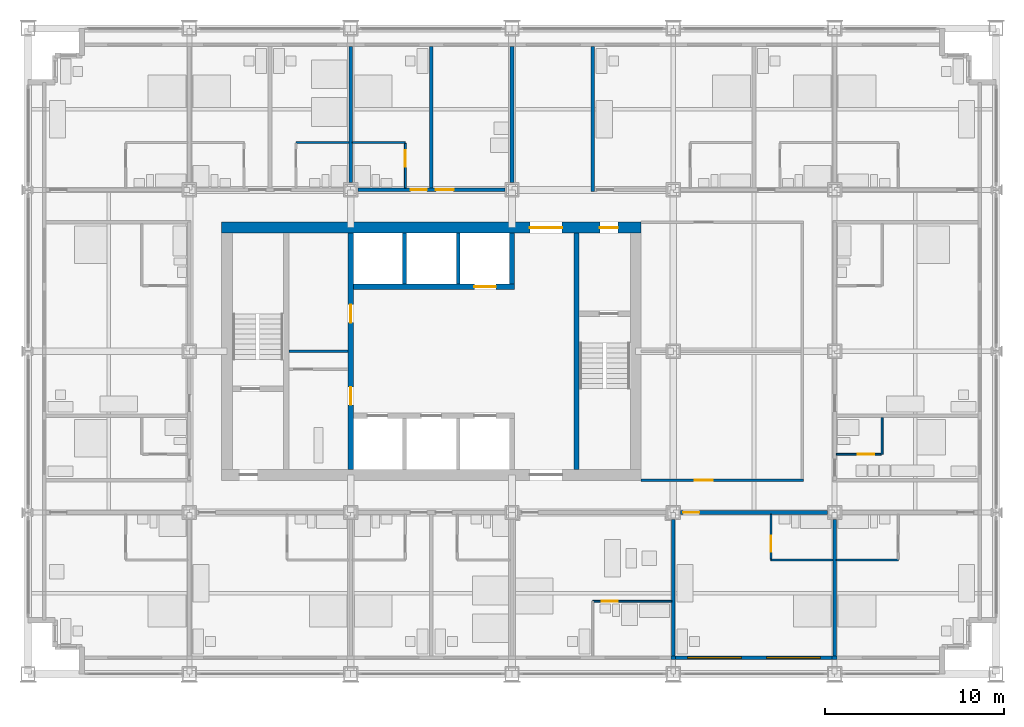
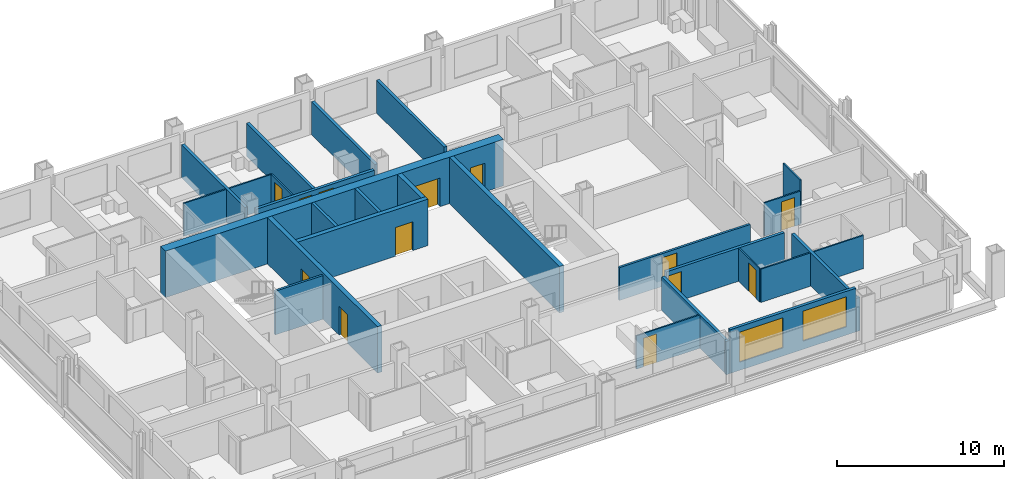
# One storey, part 12 of 18: 29 walls, 13 doors, 2 windows, 15 openings.
"""IFC4 building model written with IfcOpenShell, lengths in metres."""

from ifc_helpers import new_model, si_unit, direction, frame, frame_2d, origin, place, context, subcontext, project, spatial, rectangle, extrude, material, layer, layer_set, type_object, element, fill, save


model = new_model("IFC4")

# Units and contexts
model_context = context("Model", 3, precision=1e-05, world=origin(), true_north=direction((0.0, 1.0)))
body_context = subcontext(model_context, "Body", "Model", "MODEL_VIEW")
ifc_project = project(units=[si_unit("LENGTHUNIT", "METRE"), si_unit("AREAUNIT", "SQUARE_METRE"), si_unit("VOLUMEUNIT", "CUBIC_METRE"), si_unit("PLANEANGLEUNIT", "RADIAN"), si_unit("MASSUNIT", "GRAM", prefix="KILO")], contexts=[model_context])

# Site, building, storey
site_placement = place(None, origin())
site = spatial("IfcSite", under=ifc_project, at=site_placement, CompositionType="ELEMENT")
building_placement = place(site_placement, origin())
building = spatial("IfcBuilding", under=site, at=building_placement, Name="Loomwork Tower", CompositionType="ELEMENT")
storey_placement = place(building_placement, frame((0.0, 0.0, 68.800048828125)))
storey = spatial("IfcBuildingStorey", under=building, at=storey_placement, Name="L17", CompositionType="ELEMENT", Elevation=68.800048828125)

# Wall, openings, doors
ifc_material_1 = material(Name="Concrete 14000 psi (97 MPa)", Category="concrete")
ifc_layer_1 = layer(ifc_material_1, 0.300048828125)
ifc_layer_set_1 = layer_set([ifc_layer_1], Name="Core shear wall 300")
wall_type_1 = type_object("IfcWallType", Name="Core shear wall 300", PredefinedType="SHEAR", material=ifc_layer_set_1)
wall_1_placement = place(storey_placement, frame((18.0, 11.39990234375, 0.0), z_axis=(0.0, 0.0, 1.0), x_axis=(0.0, 1.0, 0.0)))
wall_1 = element("IfcWall", 1, at=wall_1_placement, inside=storey, type_object=wall_type_1, Name="Lobby west wall L17", PredefinedType="SHEAR", context=body_context, shape_type="SweptSolid", body=[
    extrude(rectangle(XDim=13.2001953125, YDim=0.300048828125, at=frame_2d((6.60009765625, 0.0))), origin(), (0.0, 0.0, 1.0), 3.39990234375),
])
opening_1_placement = place(wall_1_placement, frame((3.60009765625, 0.0, 0.0)))
opening_1 = element("IfcOpeningElement", 2, at=opening_1_placement, cuts=wall_1, Name="Opening D5", PredefinedType="OPENING", context=body_context, shape_type="SweptSolid", body=[
    extrude(rectangle(XDim=1.0, YDim=2.10009765625, at=frame_2d((0.5, 1.050048828125))), frame((0.0, 0.159912109375, 0.0), z_axis=(0.0, -1.0, 0.0), x_axis=(1.0, 0.0, 0.0)), (0.0, 0.0, 1.0), 0.320068359375),
])
opening_2_placement = place(wall_1_placement, frame((8.199951171875, 0.0, 0.0)))
opening_2 = element("IfcOpeningElement", 3, at=opening_2_placement, cuts=wall_1, Name="Opening D5", PredefinedType="OPENING", context=body_context, shape_type="SweptSolid", body=[
    extrude(rectangle(XDim=1.0, YDim=2.10009765625, at=frame_2d((0.5, 1.050048828125))), frame((0.0, 0.159912109375, 0.0), z_axis=(0.0, -1.0, 0.0), x_axis=(1.0, 0.0, 0.0)), (0.0, 0.0, 1.0), 0.320068359375),
])
ifc_material_2 = material(Name="Hollow metal door and frame")
door_type_1 = type_object("IfcDoorType", Name="Service door 1000", OperationType="SINGLE_SWING_LEFT", PredefinedType="DOOR", material=ifc_material_2)
door_1_placement = place(opening_1_placement, origin())
door_1 = element("IfcDoor", 4, at=door_1_placement, inside=storey, type_object=door_type_1, Name="Back-of-house door south", OperationType="SINGLE_SWING_LEFT", OverallHeight=2.10009765625, OverallWidth=1.0, PredefinedType="DOOR", context=body_context, shape_type="SweptSolid", body=[
    extrude(rectangle(XDim=1.0, YDim=2.10009765625, at=frame_2d((0.5, 1.050048828125))), frame((0.0, 0.02490234375, 0.0), z_axis=(0.0, -1.0, 0.0), x_axis=(1.0, 0.0, 0.0)), (0.0, 0.0, 1.0), 0.050048828125),
])
fill(opening_1, door_1)
door_2_placement = place(opening_2_placement, origin())
door_2 = element("IfcDoor", 5, at=door_2_placement, inside=storey, type_object=door_type_1, Name="Back-of-house door north", OperationType="SINGLE_SWING_RIGHT", OverallHeight=2.10009765625, OverallWidth=1.0, PredefinedType="DOOR", context=body_context, shape_type="SweptSolid", body=[
    extrude(rectangle(XDim=1.0, YDim=2.10009765625, at=frame_2d((0.5, 1.050048828125))), frame((0.0, 0.02490234375, 0.0), z_axis=(0.0, -1.0, 0.0), x_axis=(1.0, 0.0, 0.0)), (0.0, 0.0, 1.0), 0.050048828125),
])
fill(opening_2, door_2)

# Wall, opening, door
wall_2_placement = place(storey_placement, frame((18.14990234375, 21.60009765625, 0.0), z_axis=(0.0, 0.0, 1.0), x_axis=(1.0, 0.0, 0.0)))
wall_2 = element("IfcWall", 6, at=wall_2_placement, inside=storey, type_object=wall_type_1, Name="Lift front wall north L17", PredefinedType="SHEAR", context=body_context, shape_type="SweptSolid", body=[
    extrude(rectangle(XDim=9.0, YDim=0.300048828125, at=frame_2d((4.5, 0.0))), origin(), (0.0, 0.0, 1.0), 3.39990234375),
])
opening_3_placement = place(wall_2_placement, frame((6.75, 0.0, 0.0)))
opening_3 = element("IfcOpeningElement", 7, at=opening_3_placement, cuts=wall_2, Name="Opening LD2", PredefinedType="OPENING", context=body_context, shape_type="SweptSolid", body=[
    extrude(rectangle(XDim=1.199951171875, YDim=2.10009765625, at=frame_2d((0.60009765625, 1.050048828125))), frame((0.0, 0.159912109375, 0.0), z_axis=(0.0, -1.0, 0.0), x_axis=(1.0, 0.0, 0.0)), (0.0, 0.0, 1.0), 0.320068359375),
])
ifc_material_3 = material(Name="Hollow metal door and frame")
door_type_2 = type_object("IfcDoorType", Name="Lift landing door 1200", OperationType="SLIDING_TO_LEFT", PredefinedType="DOOR", material=ifc_material_3)
door_3_placement = place(opening_3_placement, origin())
door_3 = element("IfcDoor", 8, at=door_3_placement, inside=storey, type_object=door_type_2, Name="Lift landing door LF2", OperationType="SLIDING_TO_LEFT", OverallHeight=2.10009765625, OverallWidth=1.199951171875, PredefinedType="DOOR", context=body_context, shape_type="SweptSolid", body=[
    extrude(rectangle(XDim=1.199951171875, YDim=2.10009765625, at=frame_2d((0.60009765625, 1.050048828125))), frame((0.0, 0.02490234375, 0.0), z_axis=(0.0, -1.0, 0.0), x_axis=(1.0, 0.0, 0.0)), (0.0, 0.0, 1.0), 0.050048828125),
])
fill(opening_3, door_3)

# Walls
wall_3_placement = place(storey_placement, frame((27.0, 21.75, 0.0), z_axis=(0.0, 0.0, 1.0), x_axis=(0.0, 1.0, 0.0)))
element("IfcWall", 9, at=wall_3_placement, inside=storey, type_object=wall_type_1, Name="Lift shaft end wall north L17", PredefinedType="SHEAR", context=body_context, shape_type="SweptSolid", body=[
    extrude(rectangle(XDim=2.85009765625, YDim=0.300048828125, at=frame_2d((1.425048828125, 0.0))), origin(), (0.0, 0.0, 1.0), 3.39990234375),
])
wall_4_placement = place(storey_placement, frame((30.60009765625, 11.39990234375, 0.0), z_axis=(0.0, 0.0, 1.0), x_axis=(0.0, 1.0, 0.0)))
element("IfcWall", 10, at=wall_4_placement, inside=storey, type_object=wall_type_1, Name="Stair B west wall L17", PredefinedType="SHEAR", context=body_context, shape_type="SweptSolid", body=[
    extrude(rectangle(XDim=13.2001953125, YDim=0.300048828125, at=frame_2d((6.60009765625, 0.0))), origin(), (0.0, 0.0, 1.0), 3.39990234375),
])

# Wall, openings, doors
ifc_material_4 = material(Name="Concrete 14000 psi (97 MPa)", Category="concrete")
ifc_layer_2 = layer(ifc_material_4, 0.60009765625)
ifc_layer_set_2 = layer_set([ifc_layer_2], Name="Core shear wall 600")
wall_type_2 = type_object("IfcWallType", Name="Core shear wall 600", PredefinedType="SHEAR", material=ifc_layer_set_2)
wall_5_placement = place(storey_placement, frame((10.800048828125, 24.89990234375, 0.0), z_axis=(0.0, 0.0, 1.0), x_axis=(1.0, 0.0, 0.0)))
wall_5 = element("IfcWall", 11, at=wall_5_placement, inside=storey, type_object=wall_type_2, Name="Core wall north L17", PredefinedType="SHEAR", context=body_context, shape_type="SweptSolid", body=[
    extrude(rectangle(XDim=23.39990234375, YDim=0.60009765625, at=frame_2d((11.699951171875, 0.0))), origin(), (0.0, 0.0, 1.0), 3.39990234375),
])
opening_4_placement = place(wall_5_placement, frame((17.199951171875, 0.0, 0.0)))
opening_4 = element("IfcOpeningElement", 12, at=opening_4_placement, cuts=wall_5, Name="Opening D6", PredefinedType="OPENING", context=body_context, shape_type="SweptSolid", body=[
    extrude(rectangle(XDim=1.800048828125, YDim=2.10009765625, at=frame_2d((0.89990234375, 1.050048828125))), frame((0.0, 0.31005859375, 0.0), z_axis=(0.0, -1.0, 0.0), x_axis=(1.0, 0.0, 0.0)), (0.0, 0.0, 1.0), 0.6201171875),
])
opening_5_placement = place(wall_5_placement, frame((21.10009765625, 0.0, 0.0)))
opening_5 = element("IfcOpeningElement", 13, at=opening_5_placement, cuts=wall_5, Name="Opening D4", PredefinedType="OPENING", context=body_context, shape_type="SweptSolid", body=[
    extrude(rectangle(XDim=1.0, YDim=2.10009765625, at=frame_2d((0.5, 1.050048828125))), frame((0.0, 0.31005859375, 0.0), z_axis=(0.0, -1.0, 0.0), x_axis=(1.0, 0.0, 0.0)), (0.0, 0.0, 1.0), 0.6201171875),
])
ifc_material_5 = material(Name="Hollow metal door and frame")
door_type_3 = type_object("IfcDoorType", Name="Lobby passage double door 1800", OperationType="DOUBLE_DOOR_SINGLE_SWING", PredefinedType="DOOR", material=ifc_material_5)
door_4_placement = place(opening_4_placement, frame((1.800048828125, 0.0, 0.0), z_axis=(0.0, 0.0, 1.0), x_axis=(-1.0, 0.0, 0.0)))
door_4 = element("IfcDoor", 14, at=door_4_placement, inside=storey, type_object=door_type_3, Name="Lobby passage door north", OperationType="DOUBLE_DOOR_SINGLE_SWING", OverallHeight=2.10009765625, OverallWidth=1.800048828125, PredefinedType="DOOR", context=body_context, shape_type="SweptSolid", body=[
    extrude(rectangle(XDim=1.800048828125, YDim=2.10009765625, at=frame_2d((0.89990234375, 1.050048828125))), frame((0.0, 0.02490234375, 0.0), z_axis=(0.0, -1.0, 0.0), x_axis=(1.0, 0.0, 0.0)), (0.0, 0.0, 1.0), 0.050048828125),
])
fill(opening_4, door_4)
ifc_material_6 = material(Name="Hollow metal door and frame")
door_type_4 = type_object("IfcDoorType", Name="Stair door 1000", OperationType="SINGLE_SWING_RIGHT", PredefinedType="DOOR", material=ifc_material_6)
door_5_placement = place(opening_5_placement, frame((1.0, 0.0, 0.0), z_axis=(0.0, 0.0, 1.0), x_axis=(-1.0, 0.0, 0.0)))
door_5 = element("IfcDoor", 15, at=door_5_placement, inside=storey, type_object=door_type_4, Name="Stair B vestibule door", OperationType="SINGLE_SWING_LEFT", OverallHeight=2.10009765625, OverallWidth=1.0, PredefinedType="DOOR", context=body_context, shape_type="SweptSolid", body=[
    extrude(rectangle(XDim=1.0, YDim=2.10009765625, at=frame_2d((0.5, 1.050048828125))), frame((0.0, 0.02490234375, 0.0), z_axis=(0.0, -1.0, 0.0), x_axis=(1.0, 0.0, 0.0)), (0.0, 0.0, 1.0), 0.050048828125),
])
fill(opening_5, door_5)

# Wall, opening, door
ifc_material_7 = material(Name="Gypsum board on steel studs, one-hour", Category="steel")
ifc_layer_3 = layer(ifc_material_7, 0.199951171875)
ifc_layer_set_3 = layer_set([ifc_layer_3], Name="Corridor wall 200")
wall_type_3 = type_object("IfcWallType", Name="Corridor wall 200", PredefinedType="PARTITIONING", material=ifc_layer_set_3)
wall_6_placement = place(storey_placement, frame((36.39990234375, 9.0, 0.0), z_axis=(0.0, 0.0, 1.0), x_axis=(1.0, 0.0, 0.0)))
wall_6 = element("IfcWall", 16, at=wall_6_placement, inside=storey, type_object=wall_type_3, Name="South corridor wall 5", PredefinedType="PARTITIONING", context=body_context, shape_type="SweptSolid", body=[
    extrude(rectangle(XDim=8.2001953125, YDim=0.199951171875, at=frame_2d((4.10009765625, 0.0))), origin(), (0.0, 0.0, 1.0), 2.43798828125),
])
opening_6_placement = place(wall_6_placement, frame((0.14990234375, 0.0, 0.0)))
opening_6 = element("IfcOpeningElement", 17, at=opening_6_placement, cuts=wall_6, Name="Opening D1", PredefinedType="OPENING", context=body_context, shape_type="SweptSolid", body=[
    extrude(rectangle(XDim=0.89990234375, YDim=2.10009765625, at=frame_2d((0.449951171875, 1.050048828125))), frame((0.0, 0.10986328125, 0.0), z_axis=(0.0, -1.0, 0.0), x_axis=(1.0, 0.0, 0.0)), (0.0, 0.0, 1.0), 0.219970703125),
])
ifc_material_8 = material(Name="Hollow metal door and frame")
door_type_5 = type_object("IfcDoorType", Name="Guest room entry door 900", OperationType="SINGLE_SWING_LEFT", PredefinedType="DOOR", material=ifc_material_8)
door_6_placement = place(opening_6_placement, frame((0.89990234375, 0.0, 0.0), z_axis=(0.0, 0.0, 1.0), x_axis=(-1.0, 0.0, 0.0)))
door_6 = element("IfcDoor", 18, at=door_6_placement, inside=storey, type_object=door_type_5, Name="Guest room entry door L17 6", OperationType="SINGLE_SWING_RIGHT", OverallHeight=2.10009765625, OverallWidth=0.89990234375, PredefinedType="DOOR", context=body_context, shape_type="SweptSolid", body=[
    extrude(rectangle(XDim=0.89990234375, YDim=2.10009765625, at=frame_2d((0.449951171875, 1.050048828125))), frame((0.0, 0.02490234375, 0.0), z_axis=(0.0, -1.0, 0.0), x_axis=(1.0, 0.0, 0.0)), (0.0, 0.0, 1.0), 0.050048828125),
])
fill(opening_6, door_6)

# Wall, openings, doors
wall_7_placement = place(storey_placement, frame((18.39990234375, 27.0, 0.0), z_axis=(0.0, 0.0, 1.0), x_axis=(1.0, 0.0, 0.0)))
wall_7 = element("IfcWall", 19, at=wall_7_placement, inside=storey, type_object=wall_type_3, Name="North corridor wall 3", PredefinedType="PARTITIONING", context=body_context, shape_type="SweptSolid", body=[
    extrude(rectangle(XDim=8.2001953125, YDim=0.199951171875, at=frame_2d((4.10009765625, 0.0))), origin(), (0.0, 0.0, 1.0), 2.405029296875),
])
opening_7_placement = place(wall_7_placement, frame((2.949951171875, 0.0, 0.0)))
opening_7 = element("IfcOpeningElement", 20, at=opening_7_placement, cuts=wall_7, Name="Opening D1", PredefinedType="OPENING", context=body_context, shape_type="SweptSolid", body=[
    extrude(rectangle(XDim=0.89990234375, YDim=2.10009765625, at=frame_2d((0.449951171875, 1.050048828125))), frame((0.0, 0.10986328125, 0.0), z_axis=(0.0, -1.0, 0.0), x_axis=(1.0, 0.0, 0.0)), (0.0, 0.0, 1.0), 0.219970703125),
])
opening_8_placement = place(wall_7_placement, frame((4.35009765625, 0.0, 0.0)))
opening_8 = element("IfcOpeningElement", 21, at=opening_8_placement, cuts=wall_7, Name="Opening D15", PredefinedType="OPENING", context=body_context, shape_type="SweptSolid", body=[
    extrude(rectangle(XDim=1.0, YDim=2.10009765625, at=frame_2d((0.5, 1.050048828125))), frame((0.0, 0.10986328125, 0.0), z_axis=(0.0, -1.0, 0.0), x_axis=(1.0, 0.0, 0.0)), (0.0, 0.0, 1.0), 0.219970703125),
])
ifc_material_9 = material(Name="Hollow metal door and frame")
door_type_6 = type_object("IfcDoorType", Name="Fire-rated room door 1000", OperationType="SINGLE_SWING_LEFT", PredefinedType="DOOR", material=ifc_material_9)
door_7_placement = place(opening_8_placement, origin())
door_7 = element("IfcDoor", 22, at=door_7_placement, inside=storey, type_object=door_type_6, Name="Ice and vending room door L17 12", OperationType="SINGLE_SWING_LEFT", OverallHeight=2.10009765625, OverallWidth=1.0, PredefinedType="DOOR", context=body_context, shape_type="SweptSolid", body=[
    extrude(rectangle(XDim=1.0, YDim=2.10009765625, at=frame_2d((0.5, 1.050048828125))), frame((0.0, 0.02490234375, 0.0), z_axis=(0.0, -1.0, 0.0), x_axis=(1.0, 0.0, 0.0)), (0.0, 0.0, 1.0), 0.050048828125),
])
fill(opening_8, door_7)
door_8_placement = place(opening_7_placement, origin())
door_8 = element("IfcDoor", 23, at=door_8_placement, inside=storey, type_object=door_type_5, Name="Guest room entry door L17 11", OperationType="SINGLE_SWING_RIGHT", OverallHeight=2.10009765625, OverallWidth=0.89990234375, PredefinedType="DOOR", context=body_context, shape_type="SweptSolid", body=[
    extrude(rectangle(XDim=0.89990234375, YDim=2.10009765625, at=frame_2d((0.449951171875, 1.050048828125))), frame((0.0, 0.02490234375, 0.0), z_axis=(0.0, -1.0, 0.0), x_axis=(1.0, 0.0, 0.0)), (0.0, 0.0, 1.0), 0.050048828125),
])
fill(opening_7, door_8)

# Wall, opening, door
ifc_material_10 = material(Name="Cement board on steel studs", Category="steel")
ifc_layer_4 = layer(ifc_material_10, 0.10009765625)
ifc_layer_set_4 = layer_set([ifc_layer_4], Name="En-suite partition 100")
wall_type_4 = type_object("IfcWallType", Name="En-suite partition 100", PredefinedType="PARTITIONING", material=ifc_layer_set_4)
wall_8_placement = place(storey_placement, frame((31.5, 4.050048828125, 0.0), z_axis=(0.0, 0.0, 1.0), x_axis=(1.0, 0.0, 0.0)))
wall_8 = element("IfcWall", 24, at=wall_8_placement, inside=storey, type_object=wall_type_4, Name="Spa bathroom wall L17 room 5", PredefinedType="PARTITIONING", context=body_context, shape_type="SweptSolid", body=[
    extrude(rectangle(XDim=4.39990234375, YDim=0.10009765625, at=frame_2d((2.199951171875, 0.0))), origin(), (0.0, 0.0, 1.0), 2.43798828125),
])
opening_9_placement = place(wall_8_placement, frame((0.5, 0.0, 0.0)))
opening_9 = element("IfcOpeningElement", 25, at=opening_9_placement, cuts=wall_8, Name="Opening D2", PredefinedType="OPENING", context=body_context, shape_type="SweptSolid", body=[
    extrude(rectangle(XDim=0.89990234375, YDim=2.10009765625, at=frame_2d((0.449951171875, 1.050048828125))), frame((0.0, 0.06005859375, 0.0), z_axis=(0.0, -1.0, 0.0), x_axis=(1.0, 0.0, 0.0)), (0.0, 0.0, 1.0), 0.1201171875),
])
ifc_material_11 = material(Name="Hollow metal door and frame")
door_type_7 = type_object("IfcDoorType", Name="En-suite door 900", OperationType="SINGLE_SWING_LEFT", PredefinedType="DOOR", material=ifc_material_11)
door_9_placement = place(opening_9_placement, frame((0.89990234375, 0.0, 0.0), z_axis=(0.0, 0.0, 1.0), x_axis=(-1.0, 0.0, 0.0)))
door_9 = element("IfcDoor", 26, at=door_9_placement, inside=storey, type_object=door_type_7, Name="Spa bathroom door room 5", OperationType="SINGLE_SWING_RIGHT", OverallHeight=2.10009765625, OverallWidth=0.89990234375, PredefinedType="DOOR", context=body_context, shape_type="SweptSolid", body=[
    extrude(rectangle(XDim=0.89990234375, YDim=2.10009765625, at=frame_2d((0.449951171875, 1.050048828125))), frame((0.0, 0.02490234375, 0.0), z_axis=(0.0, -1.0, 0.0), x_axis=(1.0, 0.0, 0.0)), (0.0, 0.0, 1.0), 0.050048828125),
])
fill(opening_9, door_9)

# Wall
wall_9_placement = place(storey_placement, frame((41.449951171875, 6.35009765625, 0.0), z_axis=(0.0, 0.0, 1.0), x_axis=(1.0, 0.0, 0.0)))
element("IfcWall", 27, at=wall_9_placement, inside=storey, type_object=wall_type_4, Name="En-suite wall L17 room 6", PredefinedType="PARTITIONING", context=body_context, shape_type="SweptSolid", body=[
    extrude(rectangle(XDim=3.449951171875, YDim=0.10009765625, at=frame_2d((1.72509765625, 0.0))), origin(), (0.0, 0.0, 1.0), 2.43798828125),
])

# Wall, opening, door
wall_10_placement = place(storey_placement, frame((41.449951171875, 8.89990234375, 0.0), z_axis=(0.0, 0.0, 1.0), x_axis=(0.0, -1.0, 0.0)))
wall_10 = element("IfcWall", 28, at=wall_10_placement, inside=storey, type_object=wall_type_4, Name="En-suite side wall L17 room 6", PredefinedType="PARTITIONING", context=body_context, shape_type="SweptSolid", body=[
    extrude(rectangle(XDim=2.5, YDim=0.10009765625, at=frame_2d((1.25, 0.0))), origin(), (0.0, 0.0, 1.0), 2.43798828125),
])
opening_10_placement = place(wall_10_placement, frame((1.199951171875, 0.0, 0.0)))
opening_10 = element("IfcOpeningElement", 29, at=opening_10_placement, cuts=wall_10, Name="Opening D2", PredefinedType="OPENING", context=body_context, shape_type="SweptSolid", body=[
    extrude(rectangle(XDim=0.89990234375, YDim=2.10009765625, at=frame_2d((0.449951171875, 1.050048828125))), frame((0.0, 0.06005859375, 0.0), z_axis=(0.0, -1.0, 0.0), x_axis=(1.0, 0.0, 0.0)), (0.0, 0.0, 1.0), 0.1201171875),
])
door_10_placement = place(opening_10_placement, origin())
door_10 = element("IfcDoor", 30, at=door_10_placement, inside=storey, type_object=door_type_7, Name="En-suite door room 6", OperationType="SINGLE_SWING_RIGHT", OverallHeight=2.10009765625, OverallWidth=0.89990234375, PredefinedType="DOOR", context=body_context, shape_type="SweptSolid", body=[
    extrude(rectangle(XDim=0.89990234375, YDim=2.10009765625, at=frame_2d((0.449951171875, 1.050048828125))), frame((0.0, 0.02490234375, 0.0), z_axis=(0.0, -1.0, 0.0), x_axis=(1.0, 0.0, 0.0)), (0.0, 0.0, 1.0), 0.050048828125),
])
fill(opening_10, door_10)

# Walls
wall_11_placement = place(storey_placement, frame((45.10009765625, 6.35009765625, 0.0), z_axis=(0.0, 0.0, 1.0), x_axis=(1.0, 0.0, 0.0)))
element("IfcWall", 31, at=wall_11_placement, inside=storey, type_object=wall_type_4, Name="En-suite wall L17 room 7", PredefinedType="PARTITIONING", context=body_context, shape_type="SweptSolid", body=[
    extrude(rectangle(XDim=3.449951171875, YDim=0.10009765625, at=frame_2d((1.72509765625, 0.0))), origin(), (0.0, 0.0, 1.0), 2.43798828125),
])
for number, where, z_axis, x_axis, name in (
    (32, (14.949951171875, 29.64990234375, 0.0), (0.0, 0.0, 1.0), (1.0, 0.0, 0.0), "En-suite wall L17 room 10"),
    (33, (18.10009765625, 29.64990234375, 0.0), (0.0, 0.0, 1.0), (1.0, 0.0, 0.0), "En-suite wall L17 room 11"),
):
    element("IfcWall", number, at=place(storey_placement, frame(where, z_axis=z_axis, x_axis=x_axis)), inside=storey, type_object=wall_type_4, Name=name, PredefinedType="PARTITIONING", context=body_context, shape_type="SweptSolid", body=[
        extrude(rectangle(XDim=2.949951171875, YDim=0.10009765625, at=frame_2d((1.47509765625, 0.0))), origin(), (0.0, 0.0, 1.0), 2.404052734375),
    ])

# Wall, opening, door
wall_12_placement = place(storey_placement, frame((21.050048828125, 27.10009765625, 0.0), z_axis=(0.0, 0.0, 1.0), x_axis=(0.0, 1.0, 0.0)))
wall_12 = element("IfcWall", 34, at=wall_12_placement, inside=storey, type_object=wall_type_4, Name="En-suite side wall L17 room 11", PredefinedType="PARTITIONING", context=body_context, shape_type="SweptSolid", body=[
    extrude(rectangle(XDim=2.5, YDim=0.10009765625, at=frame_2d((1.25, 0.0))), origin(), (0.0, 0.0, 1.0), 2.404052734375),
])
opening_11_placement = place(wall_12_placement, frame((1.199951171875, 0.0, 0.0)))
opening_11 = element("IfcOpeningElement", 35, at=opening_11_placement, cuts=wall_12, Name="Opening D2", PredefinedType="OPENING", context=body_context, shape_type="SweptSolid", body=[
    extrude(rectangle(XDim=0.89990234375, YDim=2.10009765625, at=frame_2d((0.449951171875, 1.050048828125))), frame((0.0, 0.06005859375, 0.0), z_axis=(0.0, -1.0, 0.0), x_axis=(1.0, 0.0, 0.0)), (0.0, 0.0, 1.0), 0.1201171875),
])
door_11_placement = place(opening_11_placement, origin())
door_11 = element("IfcDoor", 36, at=door_11_placement, inside=storey, type_object=door_type_7, Name="En-suite door room 11", OperationType="SINGLE_SWING_RIGHT", OverallHeight=2.10009765625, OverallWidth=0.89990234375, PredefinedType="DOOR", context=body_context, shape_type="SweptSolid", body=[
    extrude(rectangle(XDim=0.89990234375, YDim=2.10009765625, at=frame_2d((0.449951171875, 1.050048828125))), frame((0.0, 0.02490234375, 0.0), z_axis=(0.0, -1.0, 0.0), x_axis=(1.0, 0.0, 0.0)), (0.0, 0.0, 1.0), 0.050048828125),
])
fill(opening_11, door_11)

# Wall
wall_13_placement = place(storey_placement, frame((47.64990234375, 12.25, 0.0), z_axis=(0.0, 0.0, 1.0), x_axis=(0.0, 1.0, 0.0)))
element("IfcWall", 37, at=wall_13_placement, inside=storey, type_object=wall_type_4, Name="En-suite wall L17 room 18", PredefinedType="PARTITIONING", context=body_context, shape_type="SweptSolid", body=[
    extrude(rectangle(XDim=2.050048828125, YDim=0.10009765625, at=frame_2d((1.02490234375, 0.0))), origin(), (0.0, 0.0, 1.0), 3.199951171875),
])

# Wall, opening, door
wall_14_placement = place(storey_placement, frame((45.10009765625, 12.25, 0.0), z_axis=(0.0, 0.0, 1.0), x_axis=(1.0, 0.0, 0.0)))
wall_14 = element("IfcWall", 38, at=wall_14_placement, inside=storey, type_object=wall_type_4, Name="En-suite side wall L17 room 18", PredefinedType="PARTITIONING", context=body_context, shape_type="SweptSolid", body=[
    extrude(rectangle(XDim=2.5, YDim=0.10009765625, at=frame_2d((1.25, 0.0))), origin(), (0.0, 0.0, 1.0), 2.43798828125),
])
opening_12_placement = place(wall_14_placement, frame((1.199951171875, 0.0, 0.0)))
opening_12 = element("IfcOpeningElement", 39, at=opening_12_placement, cuts=wall_14, Name="Opening D2", PredefinedType="OPENING", context=body_context, shape_type="SweptSolid", body=[
    extrude(rectangle(XDim=0.89990234375, YDim=2.10009765625, at=frame_2d((0.449951171875, 1.050048828125))), frame((0.0, 0.06005859375, 0.0), z_axis=(0.0, -1.0, 0.0), x_axis=(1.0, 0.0, 0.0)), (0.0, 0.0, 1.0), 0.1201171875),
])
door_12_placement = place(opening_12_placement, origin())
door_12 = element("IfcDoor", 40, at=door_12_placement, inside=storey, type_object=door_type_7, Name="En-suite door room 18", OperationType="SINGLE_SWING_RIGHT", OverallHeight=2.10009765625, OverallWidth=0.89990234375, PredefinedType="DOOR", context=body_context, shape_type="SweptSolid", body=[
    extrude(rectangle(XDim=0.89990234375, YDim=2.10009765625, at=frame_2d((0.449951171875, 1.050048828125))), frame((0.0, 0.02490234375, 0.0), z_axis=(0.0, -1.0, 0.0), x_axis=(1.0, 0.0, 0.0)), (0.0, 0.0, 1.0), 0.050048828125),
])
fill(opening_12, door_12)

# Walls
ifc_material_12 = material(Name="Gypsum board on steel studs, acoustic", Category="steel")
ifc_layer_5 = layer(ifc_material_12, 0.199951171875)
ifc_layer_set_5 = layer_set([ifc_layer_5], Name="Guest room party wall 200")
wall_type_5 = type_object("IfcWallType", Name="Guest room party wall 200", PredefinedType="PARTITIONING", material=ifc_layer_set_5)
for number, where, z_axis, x_axis, name in (
    (41, (36.0, 8.60009765625, 0.0), (0.0, 0.0, 1.0), (0.0, -1.0, 0.0), "Guest room party wall S 36"),
    (42, (45.0, 8.60009765625, 0.0), (0.0, 0.0, 1.0), (0.0, -1.0, 0.0), "Guest room party wall S 45"),
):
    element("IfcWall", number, at=place(storey_placement, frame(where, z_axis=z_axis, x_axis=x_axis)), inside=storey, type_object=wall_type_5, Name=name, PredefinedType="PARTITIONING", context=body_context, shape_type="SweptSolid", body=[
        extrude(rectangle(XDim=7.60009765625, YDim=0.199951171875, at=frame_2d((3.800048828125, 0.0))), origin(), (0.0, 0.0, 1.0), 2.43798828125),
    ])
wall_15_placement = place(storey_placement, frame((18.0, 27.39990234375, 0.0), z_axis=(0.0, 0.0, 1.0), x_axis=(0.0, 1.0, 0.0)))
element("IfcWall", 43, at=wall_15_placement, inside=storey, type_object=wall_type_5, Name="Guest room party wall N 18", PredefinedType="PARTITIONING", context=body_context, shape_type="SweptSolid", body=[
    extrude(rectangle(XDim=7.60009765625, YDim=0.199951171875, at=frame_2d((3.800048828125, 0.0))), origin(), (0.0, 0.0, 1.0), 2.405029296875),
])
wall_16_placement = place(storey_placement, frame((22.5, 27.10009765625, 0.0), z_axis=(0.0, 0.0, 1.0), x_axis=(0.0, 1.0, 0.0)))
element("IfcWall", 44, at=wall_16_placement, inside=storey, type_object=wall_type_5, Name="Guest room party wall N 22.5", PredefinedType="PARTITIONING", context=body_context, shape_type="SweptSolid", body=[
    extrude(rectangle(XDim=7.89990234375, YDim=0.199951171875, at=frame_2d((3.949951171875, 0.0))), origin(), (0.0, 0.0, 1.0), 2.404052734375),
])
wall_17_placement = place(storey_placement, frame((27.0, 27.39990234375, 0.0), z_axis=(0.0, 0.0, 1.0), x_axis=(0.0, 1.0, 0.0)))
element("IfcWall", 45, at=wall_17_placement, inside=storey, type_object=wall_type_5, Name="Guest room party wall N 27", PredefinedType="PARTITIONING", context=body_context, shape_type="SweptSolid", body=[
    extrude(rectangle(XDim=7.60009765625, YDim=0.199951171875, at=frame_2d((3.800048828125, 0.0))), origin(), (0.0, 0.0, 1.0), 2.405029296875),
])
wall_18_placement = place(storey_placement, frame((31.5, 26.89990234375, 0.0), z_axis=(0.0, 0.0, 1.0), x_axis=(0.0, 1.0, 0.0)))
element("IfcWall", 46, at=wall_18_placement, inside=storey, type_object=wall_type_5, Name="Guest room party wall N 31.5", PredefinedType="PARTITIONING", context=body_context, shape_type="SweptSolid", body=[
    extrude(rectangle(XDim=8.10009765625, YDim=0.199951171875, at=frame_2d((4.050048828125, 0.0))), origin(), (0.0, 0.0, 1.0), 2.404052734375),
])
ifc_material_13 = material(Name="Insulated steel stud wall with gypsum lining", Category="steel")
ifc_layer_6 = layer(ifc_material_13, 0.199951171875)
ifc_layer_set_6 = layer_set([ifc_layer_6], Name="Inner skin wall 200")
wall_type_6 = type_object("IfcWallType", Name="Inner skin wall 200", PredefinedType="SOLIDWALL", material=ifc_layer_set_6)
wall_19_placement = place(storey_placement, frame((35.864501953125, 0.89990234375, 0.0), z_axis=(0.0, 0.0, 1.0), x_axis=(1.0, 0.0, 0.0)))
element("IfcWall", 47, at=wall_19_placement, inside=storey, type_object=wall_type_6, Name="Inner skin wall S bay 8", PredefinedType="SOLIDWALL", context=body_context, shape_type="SweptSolid", body=[
    extrude(rectangle(XDim=0.27099609375, YDim=0.199951171875, at=frame_2d((0.135498046875, 0.0))), origin(), (0.0, 0.0, 1.0), 2.43798828125),
])

# Wall, openings, windows
wall_20_placement = place(storey_placement, frame((36.135498046875, 0.89990234375, 0.0), z_axis=(0.0, 0.0, 1.0), x_axis=(1.0, 0.0, 0.0)))
wall_20 = element("IfcWall", 48, at=wall_20_placement, inside=storey, type_object=wall_type_6, Name="Inner skin wall S bay 9", PredefinedType="SOLIDWALL", context=body_context, shape_type="SweptSolid", body=[
    extrude(rectangle(XDim=8.72900390625, YDim=0.199951171875, at=frame_2d((4.364501953125, 0.0))), origin(), (0.0, 0.0, 1.0), 3.199951171875),
])
opening_13_placement = place(wall_20_placement, frame((0.66455078125, 0.0, 0.60009765625)))
opening_13 = element("IfcOpeningElement", 49, at=opening_13_placement, cuts=wall_20, Name="Opening CH1", PredefinedType="OPENING", context=body_context, shape_type="SweptSolid", body=[
    extrude(rectangle(XDim=3.0, YDim=2.199951171875, at=frame_2d((1.5, 1.10009765625))), frame((0.0, 0.10986328125, 0.0), z_axis=(0.0, -1.0, 0.0), x_axis=(1.0, 0.0, 0.0)), (0.0, 0.0, 1.0), 0.219970703125),
])
opening_14_placement = place(wall_20_placement, frame((5.064697265625, 0.0, 0.60009765625)))
opening_14 = element("IfcOpeningElement", 50, at=opening_14_placement, cuts=wall_20, Name="Opening CH1", PredefinedType="OPENING", context=body_context, shape_type="SweptSolid", body=[
    extrude(rectangle(XDim=3.0, YDim=2.199951171875, at=frame_2d((1.5, 1.10009765625))), frame((0.0, 0.10986328125, 0.0), z_axis=(0.0, -1.0, 0.0), x_axis=(1.0, 0.0, 0.0)), (0.0, 0.0, 1.0), 0.219970703125),
])
ifc_material_14 = material(Name="Aluminium frame with clear insulated glass", Category="aluminium")
window_type = type_object("IfcWindowType", Name="Chicago window 3000", PartitioningType="TRIPLE_PANEL_VERTICAL", PredefinedType="WINDOW", material=ifc_material_14)
window_1_placement = place(opening_13_placement, origin())
window_1 = element("IfcWindow", 51, at=window_1_placement, inside=storey, type_object=window_type, Name="Chicago window L17 bay 5", OverallHeight=2.199951171875, OverallWidth=3.0, PartitioningType="TRIPLE_PANEL_VERTICAL", PredefinedType="WINDOW", context=body_context, shape_type="SweptSolid", body=[
    extrude(rectangle(XDim=3.0, YDim=2.199951171875, at=frame_2d((1.5, 1.10009765625))), frame((0.0, 0.030029296875, 0.0), z_axis=(0.0, -1.0, 0.0), x_axis=(1.0, 0.0, 0.0)), (0.0, 0.0, 1.0), 0.06005859375),
])
fill(opening_13, window_1)
window_2_placement = place(opening_14_placement, origin())
window_2 = element("IfcWindow", 52, at=window_2_placement, inside=storey, type_object=window_type, Name="Chicago window L17 bay 5", OverallHeight=2.199951171875, OverallWidth=3.0, PartitioningType="TRIPLE_PANEL_VERTICAL", PredefinedType="WINDOW", context=body_context, shape_type="SweptSolid", body=[
    extrude(rectangle(XDim=3.0, YDim=2.199951171875, at=frame_2d((1.5, 1.10009765625))), frame((0.0, 0.030029296875, 0.0), z_axis=(0.0, -1.0, 0.0), x_axis=(1.0, 0.0, 0.0)), (0.0, 0.0, 1.0), 0.06005859375),
])
fill(opening_14, window_2)

# Walls
wall_21_placement = place(storey_placement, frame((44.864501953125, 0.89990234375, 0.0), z_axis=(0.0, 0.0, 1.0), x_axis=(1.0, 0.0, 0.0)))
element("IfcWall", 53, at=wall_21_placement, inside=storey, type_object=wall_type_6, Name="Inner skin wall S bay 10", PredefinedType="SOLIDWALL", context=body_context, shape_type="SweptSolid", body=[
    extrude(rectangle(XDim=0.27099609375, YDim=0.199951171875, at=frame_2d((0.135498046875, 0.0))), origin(), (0.0, 0.0, 1.0), 2.43798828125),
])
ifc_material_15 = material(Name="Concrete 14000 psi (97 MPa)", Category="concrete")
ifc_layer_7 = layer(ifc_material_15, 0.199951171875)
ifc_layer_set_7 = layer_set([ifc_layer_7], Name="Lift shaft wall 200")
wall_type_7 = type_object("IfcWallType", Name="Lift shaft wall 200", PredefinedType="SHEAR", material=ifc_layer_set_7)
for number, where, z_axis, x_axis, name in (
    (54, (21.0, 21.75, 0.0), (0.0, 0.0, 1.0), (0.0, 1.0, 0.0), "Lift shaft separation wall north 1 L17"),
    (55, (24.0, 21.75, 0.0), (0.0, 0.0, 1.0), (0.0, 1.0, 0.0), "Lift shaft separation wall north 2 L17"),
):
    element("IfcWall", number, at=place(storey_placement, frame(where, z_axis=z_axis, x_axis=x_axis)), inside=storey, type_object=wall_type_7, Name=name, PredefinedType="SHEAR", context=body_context, shape_type="SweptSolid", body=[
        extrude(rectangle(XDim=2.85009765625, YDim=0.199951171875, at=frame_2d((1.425048828125, 0.0))), origin(), (0.0, 0.0, 1.0), 3.39990234375),
    ])
ifc_material_16 = material(Name="Gypsum board on steel studs", Category="steel")
ifc_layer_8 = layer(ifc_material_16, 0.14990234375)
ifc_layer_set_8 = layer_set([ifc_layer_8], Name="Partition 150 two-hour")
wall_type_8 = type_object("IfcWallType", Name="Partition 150 two-hour", PredefinedType="PARTITIONING", material=ifc_layer_set_8)
wall_22_placement = place(storey_placement, frame((14.550048828125, 18.0, 0.0), z_axis=(0.0, 0.0, 1.0), x_axis=(1.0, 0.0, 0.0)))
element("IfcWall", 56, at=wall_22_placement, inside=storey, type_object=wall_type_8, Name="Back-of-house dividing wall L17", PredefinedType="PARTITIONING", context=body_context, shape_type="SweptSolid", body=[
    extrude(rectangle(XDim=3.300048828125, YDim=0.14990234375, at=frame_2d((1.64990234375, 0.0))), origin(), (0.0, 0.0, 1.0), 3.199951171875),
])

# Wall, opening, door
ifc_material_17 = material(Name="Gypsum board on steel studs, one-hour", Category="steel")
ifc_layer_9 = layer(ifc_material_17, 0.14990234375)
ifc_layer_set_9 = layer_set([ifc_layer_9], Name="Service partition 150")
wall_type_9 = type_object("IfcWallType", Name="Service partition 150", PredefinedType="PARTITIONING", material=ifc_layer_set_9)
wall_23_placement = place(storey_placement, frame((34.199951171875, 10.800048828125, 0.0), z_axis=(0.0, 0.0, 1.0), x_axis=(1.0, 0.0, 0.0)))
wall_23 = element("IfcWall", 57, at=wall_23_placement, inside=storey, type_object=wall_type_9, Name="Service block wall S", PredefinedType="PARTITIONING", context=body_context, shape_type="SweptSolid", body=[
    extrude(rectangle(XDim=9.074951171875, YDim=0.14990234375, at=frame_2d((4.53759765625, 0.0))), origin(), (0.0, 0.0, 1.0), 2.404052734375),
])
opening_15_placement = place(wall_23_placement, frame((3.0, 0.0, 0.0)))
opening_15 = element("IfcOpeningElement", 58, at=opening_15_placement, cuts=wall_23, Name="Opening D5", PredefinedType="OPENING", context=body_context, shape_type="SweptSolid", body=[
    extrude(rectangle(XDim=1.0, YDim=2.10009765625, at=frame_2d((0.5, 1.050048828125))), frame((0.0, 0.0849609375, 0.0), z_axis=(0.0, -1.0, 0.0), x_axis=(1.0, 0.0, 0.0)), (0.0, 0.0, 1.0), 0.169921875),
])
door_13_placement = place(opening_15_placement, origin())
door_13 = element("IfcDoor", 59, at=door_13_placement, inside=storey, type_object=door_type_1, Name="Housekeeping store door", OperationType="SINGLE_SWING_LEFT", OverallHeight=2.10009765625, OverallWidth=1.0, PredefinedType="DOOR", context=body_context, shape_type="SweptSolid", body=[
    extrude(rectangle(XDim=1.0, YDim=2.10009765625, at=frame_2d((0.5, 1.050048828125))), frame((0.0, 0.02490234375, 0.0), z_axis=(0.0, -1.0, 0.0), x_axis=(1.0, 0.0, 0.0)), (0.0, 0.0, 1.0), 0.050048828125),
])
fill(opening_15, door_13)

save(model, "model.ifc")
